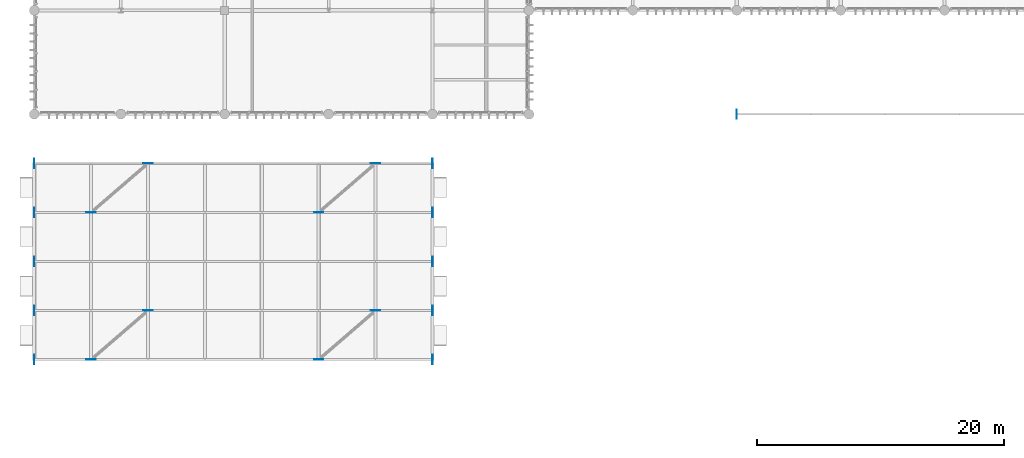
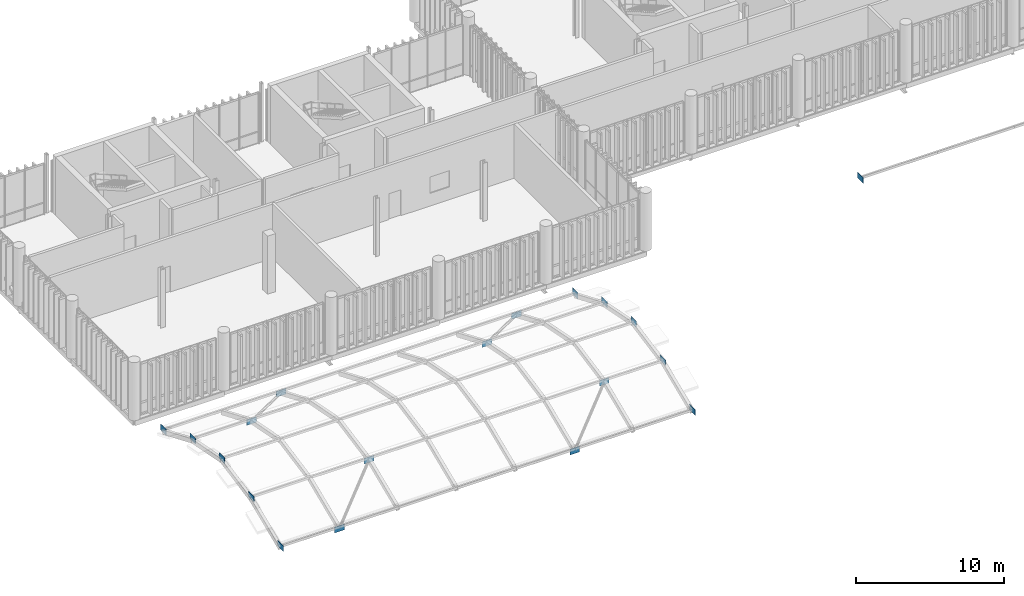
# One storey, part 76 of 94: 19 plates.
"""IFC4 building model written with IfcOpenShell, lengths in metres."""

from ifc_helpers import new_model, si_unit, direction, frame, origin_with_axes, origin_2d_with_axis, place, context, subcontext, project, spatial, rectangle, extrude, material, layer, layer_set, type_object, element, save


model = new_model("IFC4")

# Units and contexts
model_context = context("Model", 3, precision=1e-05, world=origin_with_axes(), true_north=direction((0.0, 1.0)))
body_context = subcontext(model_context, "Body", "Model", "MODEL_VIEW")
ifc_project = project(units=[si_unit("LENGTHUNIT", "METRE"), si_unit("AREAUNIT", "SQUARE_METRE"), si_unit("VOLUMEUNIT", "CUBIC_METRE"), si_unit("PLANEANGLEUNIT", "RADIAN"), si_unit("MASSUNIT", "GRAM", prefix="KILO"), si_unit("THERMODYNAMICTEMPERATUREUNIT", "KELVIN")], contexts=[model_context])

# Site, building, storey
site_placement = place(None, origin_with_axes())
site = spatial("IfcSite", under=ifc_project, at=site_placement, CompositionType="ELEMENT")
building_placement = place(site_placement, origin_with_axes())
building = spatial("IfcBuilding", under=site, at=building_placement, Name="Montbau Bow Law Courts", CompositionType="ELEMENT")
storey_placement = place(building_placement, frame((0.0, 0.0, 15.6), z_axis=(0.0, 0.0, 1.0), x_axis=(1.0, 0.0, 0.0)))
storey = spatial("IfcBuildingStorey", under=building, at=storey_placement, Name="L03", CompositionType="ELEMENT", Elevation=15.6)

# Plates
ifc_material = material(Name="Steel CSA G40.21 Grade 350W (350 MPa)", Category="steel")
ifc_layer = layer(ifc_material, 0.025, Name="Gusset Plate", Category="steel")
ifc_layer_set = layer_set([ifc_layer], Name="Steel CSA G40.21 Grade 350W (350 MPa)")
plate_type = type_object("IfcPlateType", Name="PL-GUS-02", PredefinedType="USERDEFINED", material=ifc_layer_set)
for number, where, z_axis, x_axis, name in (
    (1, (6.8, 10.767, 16.754), (0.0, 0.0, 1.0), (1.0, 0.0, 0.0), "ECP-V1-02:plt_0212"),
    (2, (6.8, 14.733, 18.429), (0.0, 0.0, 1.0), (1.0, 0.0, 0.0), "ECP-V1-03:plt_0213"),
    (3, (6.8, 18.7, 19.203), (0.0, 0.0, 1.0), (1.0, 0.0, 0.0), "ECP-V1-04:plt_0214"),
    (4, (6.8, 22.667, 18.429), (0.0, 0.0, 1.0), (1.0, 0.0, 0.0), "ECP-V1-05:plt_0215"),
    (5, (6.8, 26.633, 16.754), (0.0, 0.0, 1.0), (1.0, 0.0, 0.0), "ECP-V1-06:plt_0216"),
):
    element("IfcPlate", number, at=place(None, frame(where, z_axis=z_axis, x_axis=x_axis)), inside=storey, type_object=plate_type, Name=name, ObjectType="GUSSET_PLATE", PredefinedType="USERDEFINED", context=body_context, shape_type="SweptSolid", body=[
        extrude(rectangle(XDim=0.025, YDim=0.76, at=origin_2d_with_axis()), origin_with_axes(), (0.0, 0.0, 1.0), 0.48),
    ])
for number, where, z_axis, x_axis, name in (
    (6, (11.4, 10.767, 16.596), (0.0, 0.0, 1.0), (1.0, 0.0, 0.0), "BGP-L03-180:plt_0218"),
    (7, (16.0, 14.733, 18.271), (0.0, 0.0, 1.0), (1.0, 0.0, 0.0), "BGP-L03-181:plt_0219"),
    (8, (11.4, 22.667, 18.271), (0.0, 0.0, 1.0), (1.0, 0.0, 0.0), "BGP-L03-182:plt_0220"),
    (9, (16.0, 26.633, 16.596), (0.0, 0.0, 1.0), (1.0, 0.0, 0.0), "BGP-L03-183:plt_0221"),
    (10, (29.8, 10.767, 16.596), (0.0, 0.0, 1.0), (1.0, 0.0, 0.0), "BGP-L03-184:plt_0222"),
    (11, (34.4, 14.733, 18.271), (0.0, 0.0, 1.0), (1.0, 0.0, 0.0), "BGP-L03-185:plt_0223"),
    (12, (29.8, 22.667, 18.271), (0.0, 0.0, 1.0), (1.0, 0.0, 0.0), "BGP-L03-186:plt_0224"),
    (13, (34.4, 26.633, 16.596), (0.0, 0.0, 1.0), (1.0, 0.0, 0.0), "BGP-L03-187:plt_0225"),
):
    element("IfcPlate", number, at=place(None, frame(where, z_axis=z_axis, x_axis=x_axis)), inside=storey, type_object=plate_type, Name=name, ObjectType="GUSSET_PLATE", PredefinedType="USERDEFINED", context=body_context, shape_type="SweptSolid", body=[
        extrude(rectangle(XDim=0.76, YDim=0.025, at=origin_2d_with_axis()), origin_with_axes(), (0.0, 0.0, 1.0), 0.48),
    ])
for number, where, z_axis, x_axis, name in (
    (14, (39.0, 10.767, 16.754), (0.0, 0.0, 1.0), (1.0, 0.0, 0.0), "ECP-V1-09:plt_0227"),
    (15, (39.0, 14.733, 18.429), (0.0, 0.0, 1.0), (1.0, 0.0, 0.0), "ECP-V1-10:plt_0228"),
    (16, (39.0, 18.7, 19.203), (0.0, 0.0, 1.0), (1.0, 0.0, 0.0), "ECP-V1-11:plt_0229"),
    (17, (39.0, 22.667, 18.429), (0.0, 0.0, 1.0), (1.0, 0.0, 0.0), "ECP-V1-12:plt_0230"),
    (18, (39.0, 26.633, 16.754), (0.0, 0.0, 1.0), (1.0, 0.0, 0.0), "ECP-V1-13:plt_0231"),
    (19, (63.6, 30.6, 15.298), (0.0, 0.0, 1.0), (1.0, 0.0, 0.0), "ECP-V4-04:plt_0236"),
):
    element("IfcPlate", number, at=place(None, frame(where, z_axis=z_axis, x_axis=x_axis)), inside=storey, type_object=plate_type, Name=name, ObjectType="GUSSET_PLATE", PredefinedType="USERDEFINED", context=body_context, shape_type="SweptSolid", body=[
        extrude(rectangle(XDim=0.025, YDim=0.76, at=origin_2d_with_axis()), origin_with_axes(), (0.0, 0.0, 1.0), 0.48),
    ])

save(model, "model.ifc")
